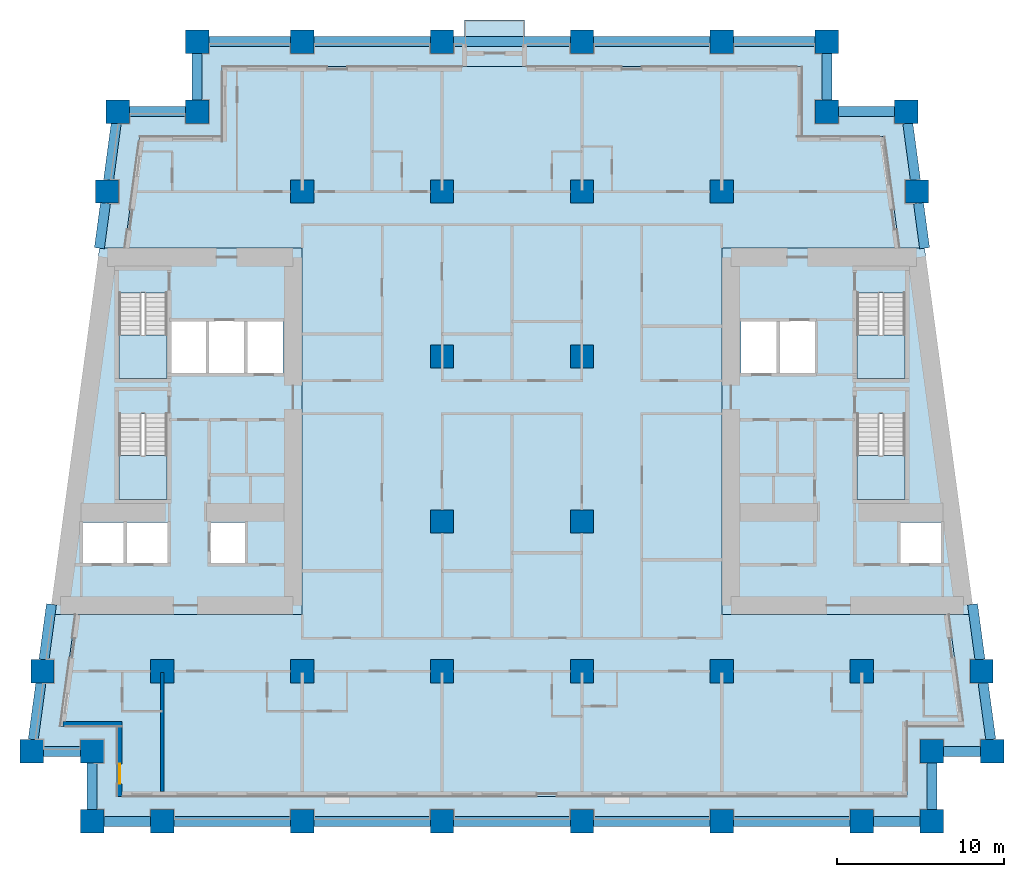
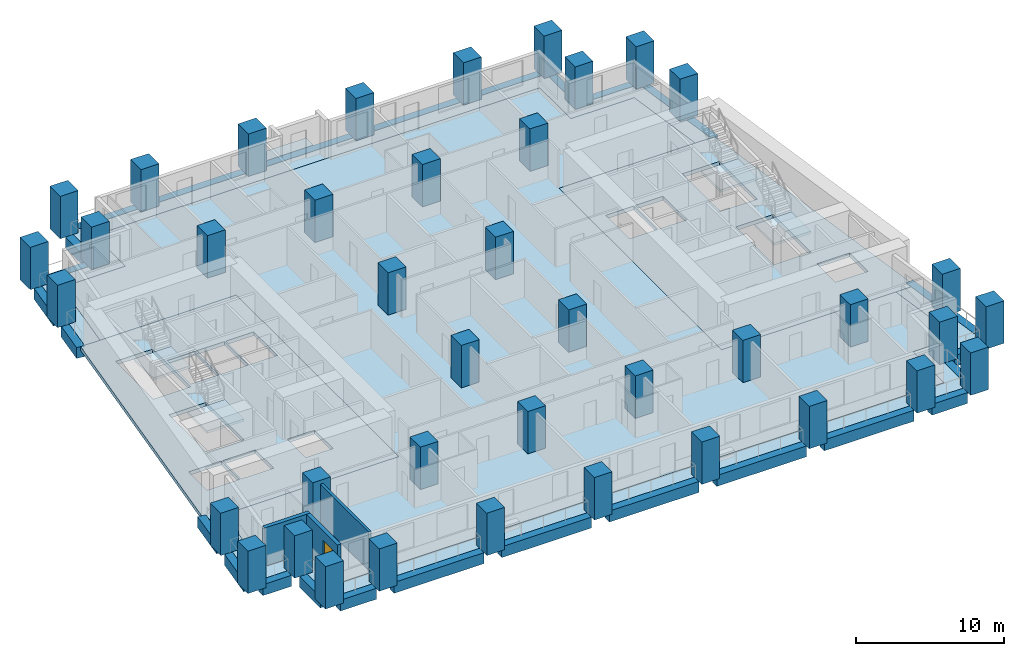
# One storey, part 1 of 13: 40 columns, 28 beams, 10 slabs, 3 walls, 1 door, 1 opening, 4 elements without a shape of their own.
"""IFC4 building model written with IfcOpenShell, lengths in metres."""

from ifc_helpers import new_model, si_unit, direction, frame, frame_2d, origin, origin_2d, place, context, subcontext, project, spatial, polyline, rectangle, outline, extrude, material, layer, layer_set, material_profile, profile_set, type_object, element, fill, aggregate, save


model = new_model("IFC4")

# Units and contexts
model_context = context("Model", 3, precision=1e-05, world=origin(), true_north=direction((0.0, 1.0)))
body_context = subcontext(model_context, "Body", "Model", "MODEL_VIEW")
ifc_project = project(units=[si_unit("LENGTHUNIT", "METRE"), si_unit("AREAUNIT", "SQUARE_METRE"), si_unit("VOLUMEUNIT", "CUBIC_METRE"), si_unit("PLANEANGLEUNIT", "RADIAN"), si_unit("MASSUNIT", "GRAM", prefix="KILO")], contexts=[model_context])

# Site, building, storey
site_placement = place(None, origin())
site = spatial("IfcSite", under=ifc_project, at=site_placement, CompositionType="ELEMENT")
building_placement = place(site_placement, origin())
building = spatial("IfcBuilding", under=site, at=building_placement, Name="Candeia Pilgrim Tower and Theatre", CompositionType="ELEMENT")
storey_placement = place(building_placement, frame((0.0, 0.0, 60.0)))
storey = spatial("IfcBuildingStorey", under=building, at=storey_placement, Name="L12", CompositionType="ELEMENT", Elevation=60.0)

# Columns
ifc_material_1 = material(Name="Concrete C80/95", Category="concrete")
ifc_material_profile_1 = material_profile(ifc_material_1, rectangle(XDim=1.39990234375, YDim=1.39990234375, at=origin_2d()))
ifc_profile_set_1 = profile_set([ifc_material_profile_1], Name="Concrete C80/95")
column_type = type_object("IfcColumnType", Name="RC 1400x1400 C80/95", PredefinedType="COLUMN", material=ifc_profile_set_1)
for number, where, z_axis, x_axis, name in (
    (1, (92.39990234375, 98.0, 0.0), (0.0, 0.0, 1.0), (1.0, 0.0, 0.0), "Column A1"),
    (2, (100.800048828125, 98.0, 0.0), (0.0, 0.0, 1.0), (1.0, 0.0, 0.0), "Column A2"),
    (3, (109.199951171875, 98.0, 0.0), (0.0, 0.0, 1.0), (1.0, 0.0, 0.0), "Column A3"),
    (4, (117.60009765625, 98.0, 0.0), (0.0, 0.0, 1.0), (1.0, 0.0, 0.0), "Column A4"),
    (5, (126.0, 98.0, 0.0), (0.0, 0.0, 1.0), (1.0, 0.0, 0.0), "Column A5"),
    (6, (134.39990234375, 98.0, 0.0), (0.0, 0.0, 1.0), (1.0, 0.0, 0.0), "Column A6"),
    (7, (88.199951171875, 98.0, 0.0), (0.0, 0.0, 1.0), (1.0, 0.0, 0.0), "Column AW"),
    (8, (138.60009765625, 98.0, 0.0), (0.0, 0.0, 1.0), (1.0, 0.0, 0.0), "Column AE"),
    (9, (88.199951171875, 102.199951171875, 0.0), (0.0, 0.0, 1.0), (1.0, 0.0, 0.0), "Column NSW"),
    (10, (138.60009765625, 102.199951171875, 0.0), (0.0, 0.0, 1.0), (1.0, 0.0, 0.0), "Column NSE"),
    (11, (94.5, 140.60009765625, 0.0), (0.0, 0.0, 1.0), (1.0, 0.0, 0.0), "Column NNW"),
    (12, (132.300048828125, 140.60009765625, 0.0), (0.0, 0.0, 1.0), (1.0, 0.0, 0.0), "Column NNE"),
    (13, (84.5654296875, 102.199951171875, 0.0), (0.0, 0.0, 1.0), (1.0, 0.0, 0.0), "Column LSW"),
    (14, (142.234619140625, 102.199951171875, 0.0), (0.0, 0.0, 1.0), (1.0, 0.0, 0.0), "Column LSE"),
    (15, (89.734619140625, 140.60009765625, 0.0), (0.0, 0.0, 1.0), (1.0, 0.0, 0.0), "Column LNW"),
    (16, (137.0654296875, 140.60009765625, 0.0), (0.0, 0.0, 1.0), (1.0, 0.0, 0.0), "Column LNE"),
    (17, (92.39990234375, 107.0, 0.0), (0.0, 0.0, 1.0), (1.0, 0.0, 0.0), "Column B1"),
    (18, (100.800048828125, 107.0, 0.0), (0.0, 0.0, 1.0), (1.0, 0.0, 0.0), "Column B2"),
    (19, (109.199951171875, 107.0, 0.0), (0.0, 0.0, 1.0), (1.0, 0.0, 0.0), "Column B3"),
    (20, (117.60009765625, 107.0, 0.0), (0.0, 0.0, 1.0), (1.0, 0.0, 0.0), "Column B4"),
    (21, (126.0, 107.0, 0.0), (0.0, 0.0, 1.0), (1.0, 0.0, 0.0), "Column B5"),
    (22, (134.39990234375, 107.0, 0.0), (0.0, 0.0, 1.0), (1.0, 0.0, 0.0), "Column B6"),
    (23, (85.21142578125, 107.0, 0.0), (0.0, 0.0, 1.0), (1.0, 0.0, 0.0), "Column BW"),
    (24, (141.58837890625, 107.0, 0.0), (0.0, 0.0, 1.0), (1.0, 0.0, 0.0), "Column BE"),
    (25, (109.199951171875, 116.0, 0.0), (0.0, 0.0, 1.0), (1.0, 0.0, 0.0), "Column C3"),
    (26, (117.60009765625, 116.0, 0.0), (0.0, 0.0, 1.0), (1.0, 0.0, 0.0), "Column C4"),
    (27, (109.199951171875, 125.89990234375, 0.0), (0.0, 0.0, 1.0), (1.0, 0.0, 0.0), "Column D3"),
    (28, (117.60009765625, 125.89990234375, 0.0), (0.0, 0.0, 1.0), (1.0, 0.0, 0.0), "Column D4"),
    (29, (100.800048828125, 135.800048828125, 0.0), (0.0, 0.0, 1.0), (1.0, 0.0, 0.0), "Column E2"),
    (30, (109.199951171875, 135.800048828125, 0.0), (0.0, 0.0, 1.0), (1.0, 0.0, 0.0), "Column E3"),
    (31, (117.60009765625, 135.800048828125, 0.0), (0.0, 0.0, 1.0), (1.0, 0.0, 0.0), "Column E4"),
    (32, (126.0, 135.800048828125, 0.0), (0.0, 0.0, 1.0), (1.0, 0.0, 0.0), "Column E5"),
    (33, (89.08837890625, 135.800048828125, 0.0), (0.0, 0.0, 1.0), (1.0, 0.0, 0.0), "Column EW"),
    (34, (137.71142578125, 135.800048828125, 0.0), (0.0, 0.0, 1.0), (1.0, 0.0, 0.0), "Column EE"),
    (35, (100.800048828125, 144.800048828125, 0.0), (0.0, 0.0, 1.0), (1.0, 0.0, 0.0), "Column F2"),
    (36, (109.199951171875, 144.800048828125, 0.0), (0.0, 0.0, 1.0), (1.0, 0.0, 0.0), "Column F3"),
    (37, (117.60009765625, 144.800048828125, 0.0), (0.0, 0.0, 1.0), (1.0, 0.0, 0.0), "Column F4"),
    (38, (126.0, 144.800048828125, 0.0), (0.0, 0.0, 1.0), (1.0, 0.0, 0.0), "Column F5"),
    (39, (94.5, 144.800048828125, 0.0), (0.0, 0.0, 1.0), (1.0, 0.0, 0.0), "Column FW"),
    (40, (132.300048828125, 144.800048828125, 0.0), (0.0, 0.0, 1.0), (1.0, 0.0, 0.0), "Column FE"),
):
    element("IfcColumn", number, at=place(storey_placement, frame(where, z_axis=z_axis, x_axis=x_axis)), inside=storey, type_object=column_type, Name=name, PredefinedType="COLUMN", context=body_context, shape_type="SweptSolid", body=[
        extrude(rectangle(XDim=1.39990234375, YDim=1.39990234375, at=origin_2d()), origin(), (0.0, 0.0, 1.0), 3.5),
    ])

# Beams
ifc_material_profile_2 = material_profile(ifc_material_1, rectangle(XDim=0.60009765625, YDim=0.89990234375, at=origin_2d()))
ifc_profile_set_2 = profile_set([ifc_material_profile_2], Name="Concrete C80/95")
beam_type = type_object("IfcBeamType", Name="RC 600x900 C80/95", PredefinedType="BEAM", material=ifc_profile_set_2)
beam_1_placement = place(storey_placement, frame((88.89990234375, 98.0, -0.449951171875), z_axis=(1.0, 0.0, 0.0), x_axis=(0.0, 1.0, 0.0)))
element("IfcBeam", 41, at=beam_1_placement, inside=storey, type_object=beam_type, Name="Spandrel beam L12-01", PredefinedType="BEAM", context=body_context, shape_type="SweptSolid", body=[
    extrude(rectangle(XDim=0.60009765625, YDim=0.89990234375, at=origin_2d()), origin(), (0.0, 0.0, 1.0), 2.800048828125),
])
for number, where, z_axis, x_axis, name in (
    (42, (93.10009765625, 98.0, -0.449951171875), (1.0, 0.0, 0.0), (0.0, 1.0, 0.0), "Spandrel beam L12-02"),
    (43, (101.5, 98.0, -0.449951171875), (1.0, 0.0, 0.0), (0.0, 1.0, 0.0), "Spandrel beam L12-03"),
    (44, (109.89990234375, 98.0, -0.449951171875), (1.0, 0.0, 0.0), (0.0, 1.0, 0.0), "Spandrel beam L12-04"),
    (45, (118.300048828125, 98.0, -0.449951171875), (1.0, 0.0, 0.0), (0.0, 1.0, 0.0), "Spandrel beam L12-05"),
    (46, (126.699951171875, 98.0, -0.449951171875), (1.0, 0.0, 0.0), (0.0, 1.0, 0.0), "Spandrel beam L12-06"),
):
    element("IfcBeam", number, at=place(storey_placement, frame(where, z_axis=z_axis, x_axis=x_axis)), inside=storey, type_object=beam_type, Name=name, PredefinedType="BEAM", context=body_context, shape_type="SweptSolid", body=[
        extrude(rectangle(XDim=0.60009765625, YDim=0.89990234375, at=origin_2d()), origin(), (0.0, 0.0, 1.0), 7.0),
    ])
beam_2_placement = place(storey_placement, frame((135.10009765625, 98.0, -0.449951171875), z_axis=(1.0, 0.0, 0.0), x_axis=(0.0, 1.0, 0.0)))
element("IfcBeam", 47, at=beam_2_placement, inside=storey, type_object=beam_type, Name="Spandrel beam L12-07", PredefinedType="BEAM", context=body_context, shape_type="SweptSolid", body=[
    extrude(rectangle(XDim=0.60009765625, YDim=0.89990234375, at=origin_2d()), origin(), (0.0, 0.0, 1.0), 2.7998046875),
])
beam_3_placement = place(storey_placement, frame((138.60009765625, 98.699951171875, -0.449951171875), z_axis=(0.0, 1.0, 0.0), x_axis=(-1.0, 0.0, 0.0)))
element("IfcBeam", 48, at=beam_3_placement, inside=storey, type_object=beam_type, Name="Spandrel beam L12-08", PredefinedType="BEAM", context=body_context, shape_type="SweptSolid", body=[
    extrude(rectangle(XDim=0.60009765625, YDim=0.89990234375, at=origin_2d()), origin(), (0.0, 0.0, 1.0), 2.800048828125),
])
beam_4_placement = place(storey_placement, frame((139.300048828125, 102.199951171875, -0.449951171875), z_axis=(1.0, 0.0, 0.0), x_axis=(0.0, 1.0, 0.0)))
element("IfcBeam", 49, at=beam_4_placement, inside=storey, type_object=beam_type, Name="Spandrel beam L12-09", PredefinedType="BEAM", context=body_context, shape_type="SweptSolid", body=[
    extrude(rectangle(XDim=0.60009765625, YDim=0.89990234375, at=origin_2d()), origin(), (0.0, 0.0, 1.0), 2.234619140625),
])
beam_5_placement = place(storey_placement, frame((142.140380859375, 102.89990234375, -0.449951171875), z_axis=(-0.133426797477, 0.991058671177, 0.0), x_axis=(-0.991058671177, -0.133426797477, 0.0)))
element("IfcBeam", 50, at=beam_5_placement, inside=storey, type_object=beam_type, Name="Spandrel beam L12-10", PredefinedType="BEAM", context=body_context, shape_type="SweptSolid", body=[
    extrude(rectangle(XDim=0.60009765625, YDim=0.89990234375, at=origin_2d()), origin(), (0.0, 0.0, 1.0), 3.430908203125),
])
beam_6_placement = place(storey_placement, frame((141.494140625, 107.699951171875, -0.449951171875), z_axis=(-0.13337488337, 0.991065659019, 0.0), x_axis=(-0.991065659019, -0.13337488337, 0.0)))
element("IfcBeam", 51, at=beam_6_placement, inside=storey, type_object=beam_type, Name="Spandrel beam L12-11", PredefinedType="BEAM", context=body_context, shape_type="SweptSolid", body=[
    extrude(rectangle(XDim=0.60009765625, YDim=0.89990234375, at=origin_2d()), origin(), (0.0, 0.0, 1.0), 3.353515625),
])
beam_7_placement = place(storey_placement, frame((138.169189453125, 132.39990234375, -0.449951171875), z_axis=(-0.133425552527, 0.991058838784, 0.0), x_axis=(-0.991058838784, -0.133425552527, 0.0)))
element("IfcBeam", 52, at=beam_7_placement, inside=storey, type_object=beam_type, Name="Spandrel beam L12-12", PredefinedType="BEAM", context=body_context, shape_type="SweptSolid", body=[
    extrude(rectangle(XDim=0.60009765625, YDim=0.89990234375, at=origin_2d()), origin(), (0.0, 0.0, 1.0), 2.724609375),
])
beam_8_placement = place(storey_placement, frame((137.6171875, 136.5, -0.449951171875), z_axis=(-0.13336630817, 0.991066813008, 0.0), x_axis=(-0.991066813008, -0.13336630817, 0.0)))
element("IfcBeam", 53, at=beam_8_placement, inside=storey, type_object=beam_type, Name="Spandrel beam L12-13", PredefinedType="BEAM", context=body_context, shape_type="SweptSolid", body=[
    extrude(rectangle(XDim=0.60009765625, YDim=0.89990234375, at=origin_2d()), origin(), (0.0, 0.0, 1.0), 3.4306640625),
])
beam_9_placement = place(storey_placement, frame((136.365478515625, 140.60009765625, -0.449951171875), z_axis=(-1.0, 0.0, 0.0), x_axis=(0.0, -1.0, 0.0)))
element("IfcBeam", 54, at=beam_9_placement, inside=storey, type_object=beam_type, Name="Spandrel beam L12-14", PredefinedType="BEAM", context=body_context, shape_type="SweptSolid", body=[
    extrude(rectangle(XDim=0.60009765625, YDim=0.89990234375, at=origin_2d()), origin(), (0.0, 0.0, 1.0), 3.365478515625),
])
beam_10_placement = place(storey_placement, frame((132.300048828125, 141.300048828125, -0.449951171875), z_axis=(0.0, 1.0, 0.0), x_axis=(-1.0, 0.0, 0.0)))
element("IfcBeam", 55, at=beam_10_placement, inside=storey, type_object=beam_type, Name="Spandrel beam L12-15", PredefinedType="BEAM", context=body_context, shape_type="SweptSolid", body=[
    extrude(rectangle(XDim=0.60009765625, YDim=0.89990234375, at=origin_2d()), origin(), (0.0, 0.0, 1.0), 2.800048828125),
])
beam_11_placement = place(storey_placement, frame((131.60009765625, 144.800048828125, -0.449951171875), z_axis=(-1.0, 0.0, 0.0), x_axis=(0.0, -1.0, 0.0)))
element("IfcBeam", 56, at=beam_11_placement, inside=storey, type_object=beam_type, Name="Spandrel beam L12-16", PredefinedType="BEAM", context=body_context, shape_type="SweptSolid", body=[
    extrude(rectangle(XDim=0.60009765625, YDim=0.89990234375, at=origin_2d()), origin(), (0.0, 0.0, 1.0), 4.900146484375),
])
for number, where, z_axis, x_axis, name in (
    (57, (125.300048828125, 144.800048828125, -0.449951171875), (-1.0, 0.0, 0.0), (0.0, -1.0, 0.0), "Spandrel beam L12-17"),
    (58, (116.89990234375, 144.800048828125, -0.449951171875), (-1.0, 0.0, 0.0), (0.0, -1.0, 0.0), "Spandrel beam L12-18"),
    (59, (108.5, 144.800048828125, -0.449951171875), (-1.0, 0.0, 0.0), (0.0, -1.0, 0.0), "Spandrel beam L12-19"),
):
    element("IfcBeam", number, at=place(storey_placement, frame(where, z_axis=z_axis, x_axis=x_axis)), inside=storey, type_object=beam_type, Name=name, PredefinedType="BEAM", context=body_context, shape_type="SweptSolid", body=[
        extrude(rectangle(XDim=0.60009765625, YDim=0.89990234375, at=origin_2d()), origin(), (0.0, 0.0, 1.0), 7.0),
    ])
beam_12_placement = place(storey_placement, frame((100.10009765625, 144.800048828125, -0.449951171875), z_axis=(-1.0, 0.0, 0.0), x_axis=(0.0, -1.0, 0.0)))
element("IfcBeam", 60, at=beam_12_placement, inside=storey, type_object=beam_type, Name="Spandrel beam L12-20", PredefinedType="BEAM", context=body_context, shape_type="SweptSolid", body=[
    extrude(rectangle(XDim=0.60009765625, YDim=0.89990234375, at=origin_2d()), origin(), (0.0, 0.0, 1.0), 4.900146484375),
])
beam_13_placement = place(storey_placement, frame((94.5, 144.10009765625, -0.449951171875), z_axis=(0.0, -1.0, 0.0), x_axis=(1.0, 0.0, 0.0)))
element("IfcBeam", 61, at=beam_13_placement, inside=storey, type_object=beam_type, Name="Spandrel beam L12-21", PredefinedType="BEAM", context=body_context, shape_type="SweptSolid", body=[
    extrude(rectangle(XDim=0.60009765625, YDim=0.89990234375, at=origin_2d()), origin(), (0.0, 0.0, 1.0), 2.800048828125),
])
beam_14_placement = place(storey_placement, frame((93.800048828125, 140.60009765625, -0.449951171875), z_axis=(-1.0, 0.0, 0.0), x_axis=(0.0, -1.0, 0.0)))
element("IfcBeam", 62, at=beam_14_placement, inside=storey, type_object=beam_type, Name="Spandrel beam L12-22", PredefinedType="BEAM", context=body_context, shape_type="SweptSolid", body=[
    extrude(rectangle(XDim=0.60009765625, YDim=0.89990234375, at=origin_2d()), origin(), (0.0, 0.0, 1.0), 3.365478515625),
])
beam_15_placement = place(storey_placement, frame((89.640380859375, 139.89990234375, -0.449951171875), z_axis=(-0.133436208017, -0.991057404185, 0.0), x_axis=(0.991057404185, -0.133436208017, 0.0)))
element("IfcBeam", 63, at=beam_15_placement, inside=storey, type_object=beam_type, Name="Spandrel beam L12-23", PredefinedType="BEAM", context=body_context, shape_type="SweptSolid", body=[
    extrude(rectangle(XDim=0.60009765625, YDim=0.89990234375, at=origin_2d()), origin(), (0.0, 0.0, 1.0), 3.4306640625),
])
beam_16_placement = place(storey_placement, frame((88.994140625, 135.10009765625, -0.449951171875), z_axis=(-0.133337538686, -0.991070684047, 0.0), x_axis=(0.991070684047, -0.133337538686, 0.0)))
element("IfcBeam", 64, at=beam_16_placement, inside=storey, type_object=beam_type, Name="Spandrel beam L12-24", PredefinedType="BEAM", context=body_context, shape_type="SweptSolid", body=[
    extrude(rectangle(XDim=0.60009765625, YDim=0.89990234375, at=origin_2d()), origin(), (0.0, 0.0, 1.0), 2.724609375),
])
beam_17_placement = place(storey_placement, frame((85.753173828125, 111.0234375, -0.449951171875), z_axis=(-0.133446390132, -0.991056033209, 0.0), x_axis=(0.991056033209, -0.133446390132, 0.0)))
element("IfcBeam", 65, at=beam_17_placement, inside=storey, type_object=beam_type, Name="Spandrel beam L12-25", PredefinedType="BEAM", context=body_context, shape_type="SweptSolid", body=[
    extrude(rectangle(XDim=0.60009765625, YDim=0.89990234375, at=origin_2d()), origin(), (0.0, 0.0, 1.0), 3.353515625),
])
beam_18_placement = place(storey_placement, frame((85.1171875, 106.300048828125, -0.449951171875), z_axis=(-0.133356902381, -0.991068078685, 0.0), x_axis=(0.991068078685, -0.133356902381, 0.0)))
element("IfcBeam", 66, at=beam_18_placement, inside=storey, type_object=beam_type, Name="Spandrel beam L12-26", PredefinedType="BEAM", context=body_context, shape_type="SweptSolid", body=[
    extrude(rectangle(XDim=0.60009765625, YDim=0.89990234375, at=origin_2d()), origin(), (0.0, 0.0, 1.0), 3.430908203125),
])
beam_19_placement = place(storey_placement, frame((85.265380859375, 102.199951171875, -0.449951171875), z_axis=(1.0, 0.0, 0.0), x_axis=(0.0, 1.0, 0.0)))
element("IfcBeam", 67, at=beam_19_placement, inside=storey, type_object=beam_type, Name="Spandrel beam L12-27", PredefinedType="BEAM", context=body_context, shape_type="SweptSolid", body=[
    extrude(rectangle(XDim=0.60009765625, YDim=0.89990234375, at=origin_2d()), origin(), (0.0, 0.0, 1.0), 2.234619140625),
])
beam_20_placement = place(storey_placement, frame((88.199951171875, 101.5, -0.449951171875), z_axis=(0.0, -1.0, 0.0), x_axis=(1.0, 0.0, 0.0)))
element("IfcBeam", 68, at=beam_20_placement, inside=storey, type_object=beam_type, Name="Spandrel beam L12-28", PredefinedType="BEAM", context=body_context, shape_type="SweptSolid", body=[
    extrude(rectangle(XDim=0.60009765625, YDim=0.89990234375, at=origin_2d()), origin(), (0.0, 0.0, 1.0), 2.800048828125),
])

# Slabs
ifc_material_2 = material(Name="Concrete C40/50", Category="concrete")
ifc_layer_1 = layer(ifc_material_2, 0.25)
ifc_layer_set_1 = layer_set([ifc_layer_1], Name="BK1 balcony slab 250")
slab_type_1 = type_object("IfcSlabType", Name="BK1 balcony slab 250", PredefinedType="USERDEFINED", material=ifc_layer_set_1)
slab_1_placement = place(storey_placement, frame((0.0, 0.0, -0.25)))
element("IfcSlab", 69, at=slab_1_placement, inside=storey, type_object=slab_type_1, Name="Balcony L12", ObjectType="BALCONY", PredefinedType="USERDEFINED", context=body_context, shape_type="SweptSolid", body=[
    extrude(outline(polyline([(110.550048828125, 144.5), (114.14990234375, 144.5), (114.14990234375, 146.10009765625), (110.550048828125, 146.10009765625), (110.550048828125, 144.5)])), origin(), (0.0, 0.0, 1.0), 0.25),
])
ifc_material_3 = material(Name="Concrete C60/75", Category="concrete")
ifc_layer_2 = layer(ifc_material_3, 0.320068359375)
ifc_layer_set_2 = layer_set([ifc_layer_2], Name="FS-CORE 320 core floor")
slab_type_2 = type_object("IfcSlabType", Name="FS-CORE 320 core floor", PredefinedType="FLOOR", material=ifc_layer_set_2)
slab_2_placement = place(storey_placement, frame((0.0, 0.0, -0.320068359375)))
element("IfcSlab", 70, at=slab_2_placement, inside=storey, type_object=slab_type_2, Name="Core floor W L12", PredefinedType="FLOOR", context=body_context, shape_type="SweptSolid", body=[
    extrude(outline(polyline([(100.800048828125, 132.39990234375), (100.800048828125, 110.39990234375), (85.669189453125, 110.39990234375), (88.630859375, 132.39990234375), (100.800048828125, 132.39990234375)]), holes=[polyline([(97.458984375, 128.050048828125), (97.458984375, 124.85009765625), (99.64990234375, 124.85009765625), (99.64990234375, 128.050048828125), (97.458984375, 128.050048828125)]), polyline([(95.277099609375, 115.949951171875), (95.277099609375, 113.449951171875), (97.41357421875, 113.449951171875), (97.41357421875, 115.949951171875), (95.277099609375, 115.949951171875)]), polyline([(95.16796875, 128.050048828125), (95.16796875, 124.85009765625), (97.35888671875, 124.85009765625), (97.35888671875, 128.050048828125), (95.16796875, 128.050048828125)]), polyline([(92.876953125, 128.050048828125), (92.876953125, 124.85009765625), (95.068115234375, 124.85009765625), (95.068115234375, 128.050048828125), (92.876953125, 128.050048828125)]), polyline([(90.228515625, 115.949951171875), (90.228515625, 113.449951171875), (92.777099609375, 113.449951171875), (92.777099609375, 115.949951171875), (90.228515625, 115.949951171875)]), polyline([(89.802001953125, 122.455078125), (89.802001953125, 117.324951171875), (92.701904296875, 117.324951171875), (92.701904296875, 122.455078125), (89.802001953125, 122.455078125)]), polyline([(89.802001953125, 129.705078125), (89.802001953125, 124.574951171875), (92.701904296875, 124.574951171875), (92.701904296875, 129.705078125), (89.802001953125, 129.705078125)]), polyline([(87.580078125, 115.949951171875), (87.580078125, 113.449951171875), (90.12841796875, 113.449951171875), (90.12841796875, 115.949951171875), (87.580078125, 115.949951171875)])]), origin(), (0.0, 0.0, 1.0), 0.320068359375),
])
slab_3_placement = place(storey_placement, frame((0.0, 0.0, -0.320068359375)))
element("IfcSlab", 71, at=slab_3_placement, inside=storey, type_object=slab_type_2, Name="Core floor E L12", PredefinedType="FLOOR", context=body_context, shape_type="SweptSolid", body=[
    extrude(outline(polyline([(138.169189453125, 132.39990234375), (141.130859375, 110.39990234375), (126.0, 110.39990234375), (126.0, 132.39990234375), (138.169189453125, 132.39990234375)]), holes=[polyline([(136.67138671875, 115.949951171875), (136.67138671875, 113.449951171875), (139.219970703125, 113.449951171875), (139.219970703125, 115.949951171875), (136.67138671875, 115.949951171875)]), polyline([(134.097900390625, 117.324951171875), (136.998046875, 117.324951171875), (136.998046875, 122.455078125), (134.097900390625, 122.455078125), (134.097900390625, 117.324951171875)]), polyline([(134.097900390625, 129.705078125), (134.097900390625, 124.574951171875), (136.998046875, 124.574951171875), (136.998046875, 129.705078125), (134.097900390625, 129.705078125)]), polyline([(131.632080078125, 128.050048828125), (129.44091796875, 128.050048828125), (129.44091796875, 124.85009765625), (131.632080078125, 124.85009765625), (131.632080078125, 128.050048828125)]), polyline([(127.14990234375, 128.050048828125), (127.14990234375, 124.85009765625), (129.341064453125, 124.85009765625), (129.341064453125, 128.050048828125), (127.14990234375, 128.050048828125)])]), origin(), (0.0, 0.0, 1.0), 0.320068359375),
])
ifc_material_4 = material(Name="Concrete C50/60", Category="concrete")
ifc_layer_3 = layer(ifc_material_4, 0.320068359375)
ifc_layer_set_3 = layer_set([ifc_layer_3], Name="Floor slab 320 C50/60")
slab_type_3 = type_object("IfcSlabType", Name="Floor slab 320 C50/60", PredefinedType="FLOOR", material=ifc_layer_set_3)
slab_4_placement = place(storey_placement, frame((0.0, 0.0, -0.320068359375)))
element("IfcSlab", 72, at=slab_4_placement, inside=storey, type_object=slab_type_3, Name="Floor slab L12", PredefinedType="FLOOR", context=body_context, shape_type="SweptSolid", body=[
    extrude(outline(polyline([(96.0, 139.10009765625), (96.0, 143.300048828125), (130.800048828125, 143.300048828125), (130.800048828125, 139.10009765625), (135.753662109375, 139.10009765625), (136.65576171875, 132.39990234375), (126.0, 132.39990234375), (126.0, 110.39990234375), (139.6171875, 110.39990234375), (140.51904296875, 103.699951171875), (137.10009765625, 103.699951171875), (137.10009765625, 99.5), (89.699951171875, 99.5), (89.699951171875, 103.699951171875), (86.28076171875, 103.699951171875), (87.182861328125, 110.39990234375), (100.800048828125, 110.39990234375), (100.800048828125, 132.39990234375), (90.144287109375, 132.39990234375), (91.046142578125, 139.10009765625), (96.0, 139.10009765625)])), origin(), (0.0, 0.0, 1.0), 0.320068359375),
])
ifc_layer_4 = layer(ifc_material_2, 0.25)
ifc_layer_set_4 = layer_set([ifc_layer_4], Name="Loggia slab 250 C40/50")
slab_type_4 = type_object("IfcSlabType", Name="Loggia slab 250 C40/50", PredefinedType="FLOOR", material=ifc_layer_set_4)
slab_5_placement = place(storey_placement, frame((0.0, 0.0, -0.25)))
element("IfcSlab", 73, at=slab_5_placement, inside=storey, type_object=slab_type_4, Name="Loggia slab L12 1", PredefinedType="FLOOR", context=body_context, shape_type="SweptSolid", body=[
    extrude(outline(polyline([(87.182861328125, 110.39990234375), (86.28076171875, 103.699951171875), (89.699951171875, 103.699951171875), (89.699951171875, 99.5), (137.10009765625, 99.5), (137.10009765625, 103.699951171875), (140.51904296875, 103.699951171875), (139.6171875, 110.39990234375), (140.828125, 110.39990234375), (141.8916015625, 102.5), (138.300048828125, 102.5), (138.300048828125, 98.300048828125), (88.5, 98.300048828125), (88.5, 102.5), (84.908447265625, 102.5), (85.971923828125, 110.39990234375), (87.182861328125, 110.39990234375)])), origin(), (0.0, 0.0, 1.0), 0.25),
])
slab_6_placement = place(storey_placement, frame((0.0, 0.0, -0.25)))
element("IfcSlab", 74, at=slab_6_placement, inside=storey, type_object=slab_type_4, Name="Loggia slab L12 2", PredefinedType="FLOOR", context=body_context, shape_type="SweptSolid", body=[
    extrude(outline(polyline([(136.65576171875, 132.39990234375), (135.753662109375, 139.10009765625), (130.800048828125, 139.10009765625), (130.800048828125, 143.300048828125), (96.0, 143.300048828125), (96.0, 139.10009765625), (91.046142578125, 139.10009765625), (90.144287109375, 132.39990234375), (88.93359375, 132.39990234375), (89.996826171875, 140.300048828125), (94.800048828125, 140.300048828125), (94.800048828125, 144.5), (132.0, 144.5), (132.0, 140.300048828125), (136.802978515625, 140.300048828125), (137.866455078125, 132.39990234375), (136.65576171875, 132.39990234375)])), origin(), (0.0, 0.0, 1.0), 0.25),
])

# Stair, slab
stair_type = type_object("IfcStairType", Name="ST-TWR dog-leg escape stair", PredefinedType="HALF_TURN_STAIR", material=ifc_material_2)
stair_1_placement = place(storey_placement, origin())
stair_1 = element("IfcStair", 75, at=stair_1_placement, inside=storey, type_object=stair_type, Name="L12 Escape stair ST1", PredefinedType="HALF_TURN_STAIR")
ifc_layer_5 = layer(ifc_material_2, 0.199951171875)
ifc_layer_set_5 = layer_set([ifc_layer_5], Name="SL-LANDING stair landing")
slab_type_5 = type_object("IfcSlabType", Name="SL-LANDING stair landing", PredefinedType="LANDING", material=ifc_layer_set_5)
slab_7_placement = place(storey_placement, frame((0.0, 0.0, 1.550048828125)))
slab_7 = element("IfcSlab", 76, at=slab_7_placement, type_object=slab_type_5, Name="ST1 landing 1", PredefinedType="LANDING", context=body_context, shape_type="SweptSolid", body=[
    extrude(outline(polyline([(89.802001953125, 119.955078125), (89.802001953125, 117.324951171875), (92.701904296875, 117.324951171875), (92.701904296875, 119.955078125), (89.802001953125, 119.955078125)])), origin(), (0.0, 0.0, 1.0), 0.199951171875),
])
aggregate(stair_1, [slab_7])

stair_2_placement = place(storey_placement, origin())
stair_2 = element("IfcStair", 77, at=stair_2_placement, inside=storey, type_object=stair_type, Name="L12 Escape stair ST2", PredefinedType="HALF_TURN_STAIR")
slab_8_placement = place(storey_placement, frame((0.0, 0.0, 1.550048828125)))
slab_8 = element("IfcSlab", 78, at=slab_8_placement, type_object=slab_type_5, Name="ST2 landing 1", PredefinedType="LANDING", context=body_context, shape_type="SweptSolid", body=[
    extrude(outline(polyline([(89.802001953125, 127.205078125), (89.802001953125, 124.574951171875), (92.701904296875, 124.574951171875), (92.701904296875, 127.205078125), (89.802001953125, 127.205078125)])), origin(), (0.0, 0.0, 1.0), 0.199951171875),
])
aggregate(stair_2, [slab_8])

stair_3_placement = place(storey_placement, origin())
stair_3 = element("IfcStair", 79, at=stair_3_placement, inside=storey, type_object=stair_type, Name="L12 Escape stair ST3", PredefinedType="HALF_TURN_STAIR")
slab_9_placement = place(storey_placement, frame((0.0, 0.0, 1.550048828125)))
slab_9 = element("IfcSlab", 80, at=slab_9_placement, type_object=slab_type_5, Name="ST3 landing 1", PredefinedType="LANDING", context=body_context, shape_type="SweptSolid", body=[
    extrude(outline(polyline([(134.097900390625, 119.955078125), (134.097900390625, 117.324951171875), (136.998046875, 117.324951171875), (136.998046875, 119.955078125), (134.097900390625, 119.955078125)])), origin(), (0.0, 0.0, 1.0), 0.199951171875),
])
aggregate(stair_3, [slab_9])

stair_4_placement = place(storey_placement, origin())
stair_4 = element("IfcStair", 81, at=stair_4_placement, inside=storey, type_object=stair_type, Name="L12 Escape stair ST4", PredefinedType="HALF_TURN_STAIR")
slab_10_placement = place(storey_placement, frame((0.0, 0.0, 1.550048828125)))
slab_10 = element("IfcSlab", 82, at=slab_10_placement, type_object=slab_type_5, Name="ST4 landing 1", PredefinedType="LANDING", context=body_context, shape_type="SweptSolid", body=[
    extrude(outline(polyline([(134.097900390625, 127.205078125), (134.097900390625, 124.574951171875), (136.998046875, 124.574951171875), (136.998046875, 127.205078125), (134.097900390625, 127.205078125)])), origin(), (0.0, 0.0, 1.0), 0.199951171875),
])
aggregate(stair_4, [slab_10])

# Wall
ifc_material_5 = material(Name="Ceramic block masonry", Category="masonry")
ifc_layer_6 = layer(ifc_material_5, 0.300048828125)
ifc_layer_set_6 = layer_set([ifc_layer_6], Name="EW1 glazing-line wall 300")
wall_type_1 = type_object("IfcWallType", Name="EW1 glazing-line wall 300", PredefinedType="SOLIDWALL", material=ifc_layer_set_6)
wall_1_placement = place(storey_placement, frame((86.452392578125, 103.85009765625, 0.0), z_axis=(0.0, 0.0, 1.0), x_axis=(1.0, 0.0, 0.0)))
element("IfcWall", 83, at=wall_1_placement, inside=storey, type_object=wall_type_1, Name="External wall L12-10.0", PredefinedType="SOLIDWALL", context=body_context, shape_type="SweptSolid", body=[
    extrude(rectangle(XDim=3.547607421875, YDim=0.300048828125, at=frame_2d((1.77392578125, 0.0))), origin(), (0.0, 0.0, 1.0), 3.179931640625),
])

# Wall, opening, door
wall_2_placement = place(storey_placement, frame((89.85009765625, 103.85009765625, 0.0), z_axis=(0.0, 0.0, 1.0), x_axis=(0.0, -1.0, 0.0)))
wall_2 = element("IfcWall", 84, at=wall_2_placement, inside=storey, type_object=wall_type_1, Name="External wall L12-11.0", PredefinedType="SOLIDWALL", context=body_context, shape_type="SweptSolid", body=[
    extrude(rectangle(XDim=4.35009765625, YDim=0.300048828125, at=frame_2d((2.175048828125, 0.0))), origin(), (0.0, 0.0, 1.0), 3.179931640625),
])
opening_placement = place(wall_2_placement, frame((2.39990234375, 0.0, 0.0)))
opening = element("IfcOpeningElement", 85, at=opening_placement, cuts=wall_2, Name="Opening L12-ED146", PredefinedType="OPENING", context=body_context, shape_type="SweptSolid", body=[
    extrude(rectangle(XDim=1.199951171875, YDim=2.39990234375, at=frame_2d((0.60009765625, 1.199951171875))), frame((0.0, 0.16015625, 0.0), z_axis=(0.0, -1.0, 0.0), x_axis=(1.0, 0.0, 0.0)), (0.0, 0.0, 1.0), 0.320068359375),
])
ifc_material_6 = material(Name="Aluminium framed glazed door", Category="aluminium")
door_type = type_object("IfcDoorType", Name="Loggia door 1200x2400", OperationType="DOUBLE_DOOR_SINGLE_SWING", PredefinedType="DOOR", material=ifc_material_6)
door_placement = place(opening_placement, origin())
door = element("IfcDoor", 86, at=door_placement, inside=storey, type_object=door_type, Name="Loggia door L12-ED146", OperationType="DOUBLE_DOOR_SINGLE_SWING", OverallHeight=2.39990234375, OverallWidth=1.199951171875, PredefinedType="DOOR", context=body_context, shape_type="SweptSolid", body=[
    extrude(rectangle(XDim=1.199951171875, YDim=2.39990234375, at=frame_2d((0.60009765625, 1.199951171875))), frame((0.0, 0.02490234375, 0.0), z_axis=(0.0, -1.0, 0.0), x_axis=(1.0, 0.0, 0.0)), (0.0, 0.0, 1.0), 0.050048828125),
])
fill(opening, door)

# Wall
ifc_material_7 = material(Name="Gypsum board partition on steel studs", Category="steel")
ifc_layer_7 = layer(ifc_material_7, 0.199951171875)
ifc_layer_set_7 = layer_set([ifc_layer_7], Name="PW-200 party wall")
wall_type_2 = type_object("IfcWallType", Name="PW-200 party wall", PredefinedType="PARTITIONING", material=ifc_layer_set_7)
wall_3_placement = place(storey_placement, frame((92.39990234375, 99.7900390625, 0.0), z_axis=(0.0, 0.0, 1.0), x_axis=(0.0, 1.0, 0.0)))
element("IfcWall", 87, at=wall_3_placement, inside=storey, type_object=wall_type_2, Name="Party wall L12-059", PredefinedType="PARTITIONING", context=body_context, shape_type="SweptSolid", body=[
    extrude(rectangle(XDim=7.135009765625, YDim=0.199951171875, at=frame_2d((3.5673828125, 0.0))), origin(), (0.0, 0.0, 1.0), 3.179931640625),
])

save(model, "model.ifc")
